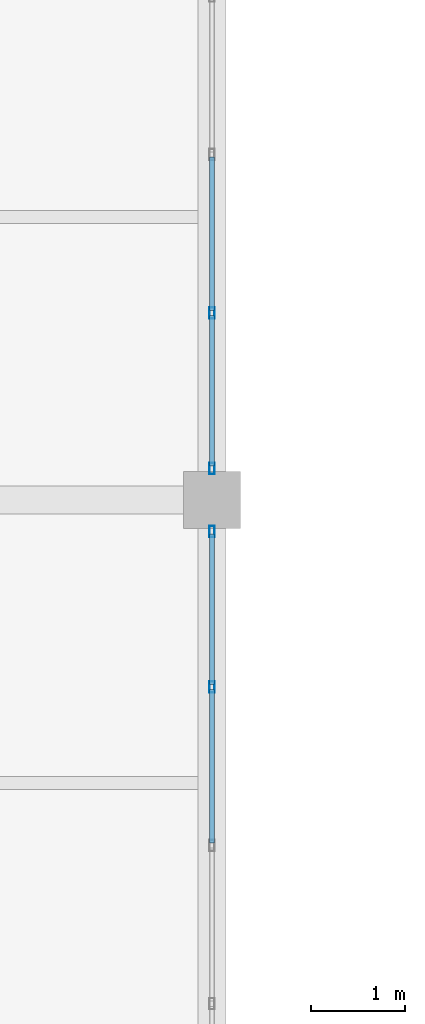
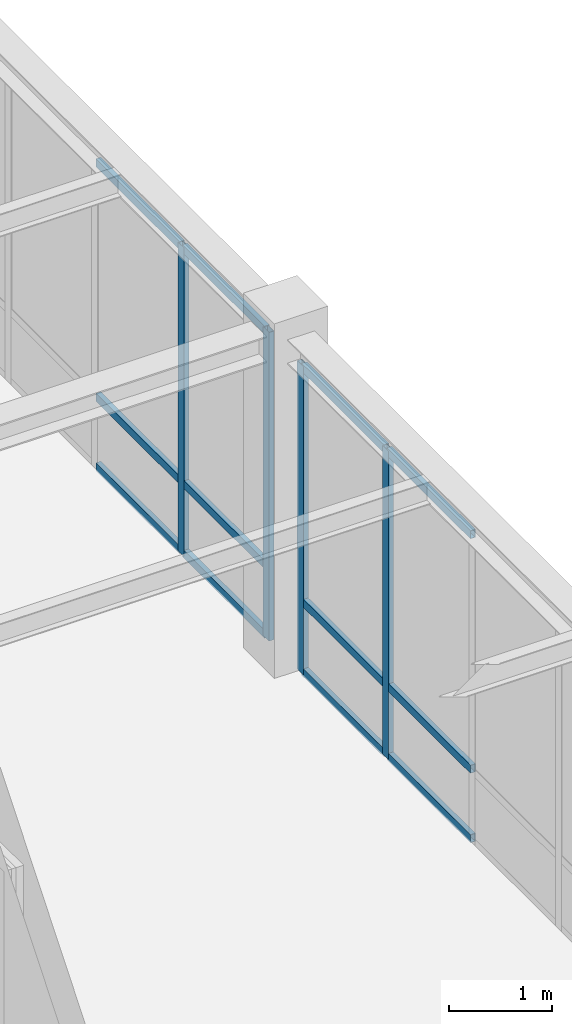
# One storey, part 48 of 130: 16 members, 2 elements without a shape of their own.
"""IFC4 building model written with IfcOpenShell, lengths in metres."""

from ifc_helpers import new_model, si_unit, direction, frame, origin, origin_2d, place, context, subcontext, project, spatial, hollow_rectangle, extrude, material, material_profile, profile_set, type_object, element, aggregate, save


model = new_model("IFC4")

# Units and contexts
model_context = context("Model", 3, precision=1e-05, world=origin(), true_north=direction((0.0, 1.0)))
body_context = subcontext(model_context, "Body", "Model", "MODEL_VIEW")
ifc_project = project(units=[si_unit("LENGTHUNIT", "METRE"), si_unit("AREAUNIT", "SQUARE_METRE"), si_unit("VOLUMEUNIT", "CUBIC_METRE"), si_unit("PLANEANGLEUNIT", "RADIAN"), si_unit("MASSUNIT", "GRAM", prefix="KILO")], contexts=[model_context])

# Site, building, storey
site_placement = place(None, origin())
site = spatial("IfcSite", under=ifc_project, at=site_placement, CompositionType="ELEMENT")
building_placement = place(site_placement, origin())
building = spatial("IfcBuilding", under=site, at=building_placement, Name="Lykobir Media Centre", CompositionType="ELEMENT")
storey_placement = place(building_placement, frame((0.0, 0.0, 19.199951171875)))
storey = spatial("IfcBuildingStorey", under=building, at=storey_placement, Name="L04", CompositionType="ELEMENT", Elevation=19.199951171875)

# Curtain wall, members
ifc_material = material(Name="Anodized Aluminium AW-6060", Category="aluminium")
curtain_wall_type = type_object("IfcCurtainWallType", Name="CW-COURT-B", PredefinedType="NOTDEFINED", material=ifc_material)
curtain_wall_1_placement = place(storey_placement, origin())
curtain_wall_1 = element("IfcCurtainWall", 1, at=curtain_wall_1_placement, inside=storey, type_object=curtain_wall_type, Name="Curtain wall CW2-L04-0172", PredefinedType="NOTDEFINED")
ifc_material_profile_1 = material_profile(ifc_material, hollow_rectangle(XDim=0.054931640625, YDim=0.1201171875, WallThickness=0.003173828125, at=origin_2d()), Name="ALU MULLION 55x120")
ifc_profile_set_1 = profile_set([ifc_material_profile_1], Name="Anodized Aluminium AW-6060")
member_type_1 = type_object("IfcMemberType", Name="CWM-120", PredefinedType="MULLION", material=ifc_profile_set_1)
member_1_placement = place(storey_placement, frame((99.0, 26.66748046875, 0.0), z_axis=(0.0, 0.0, 1.0), x_axis=(1.0, 0.0, 0.0)))
member_1 = element("IfcMember", 2, at=member_1_placement, type_object=member_type_1, Name="CW2-L04-0172 mullion 1", PredefinedType="MULLION", context=body_context, shape_type="SweptSolid", body=[
    extrude(hollow_rectangle(XDim=0.054931640625, YDim=0.1201171875, WallThickness=0.003173828125, at=origin_2d()), origin(), (0.0, 0.0, 1.0), 3.655029296875),
])
member_2_placement = place(storey_placement, frame((99.0, 25.01708984375, 0.0), z_axis=(0.0, 0.0, 1.0), x_axis=(1.0, 0.0, 0.0)))
member_2 = element("IfcMember", 3, at=member_2_placement, type_object=member_type_1, Name="CW2-L04-0172 mullion 2", PredefinedType="MULLION", context=body_context, shape_type="SweptSolid", body=[
    extrude(hollow_rectangle(XDim=0.054931640625, YDim=0.1201171875, WallThickness=0.003173828125, at=origin_2d()), origin(), (0.0, 0.0, 1.0), 3.655029296875),
])

curtain_wall_2_placement = place(storey_placement, origin())
curtain_wall_2 = element("IfcCurtainWall", 4, at=curtain_wall_2_placement, inside=storey, type_object=curtain_wall_type, Name="Curtain wall CW2-L04-0173", PredefinedType="NOTDEFINED")
member_3_placement = place(storey_placement, frame((99.0, 28.98291015625, 0.0), z_axis=(0.0, 0.0, 1.0), x_axis=(1.0, 0.0, 0.0)))
member_3 = element("IfcMember", 5, at=member_3_placement, type_object=member_type_1, Name="CW2-L04-0173 mullion 5", PredefinedType="MULLION", context=body_context, shape_type="SweptSolid", body=[
    extrude(hollow_rectangle(XDim=0.054931640625, YDim=0.1201171875, WallThickness=0.003173828125, at=origin_2d()), origin(), (0.0, 0.0, 1.0), 3.655029296875),
])
member_4_placement = place(storey_placement, frame((99.0, 27.33251953125, 0.0), z_axis=(0.0, 0.0, 1.0), x_axis=(1.0, 0.0, 0.0)))
member_4 = element("IfcMember", 6, at=member_4_placement, type_object=member_type_1, Name="CW2-L04-0173 mullion 6", PredefinedType="MULLION", context=body_context, shape_type="SweptSolid", body=[
    extrude(hollow_rectangle(XDim=0.054931640625, YDim=0.1201171875, WallThickness=0.003173828125, at=origin_2d()), origin(), (0.0, 0.0, 1.0), 3.655029296875),
])

# Member
ifc_material_profile_2 = material_profile(ifc_material, hollow_rectangle(XDim=0.054931640625, YDim=0.094970703125, WallThickness=0.0029296875, at=origin_2d()), Name="ALU TRANSOM 55x95")
ifc_profile_set_2 = profile_set([ifc_material_profile_2], Name="Anodized Aluminium AW-6060")
member_type_2 = type_object("IfcMemberType", Name="CWT-095", PredefinedType="USERDEFINED", material=ifc_profile_set_2)
member_5_placement = place(storey_placement, frame((99.0, 26.639892578125, 0.027587890625), z_axis=(0.0, -1.0, 0.0), x_axis=(1.0, 0.0, 0.0)))
member_5 = element("IfcMember", 7, at=member_5_placement, type_object=member_type_2, Name="CW2-L04-0172 transom 1.1", ObjectType="TRANSOM", PredefinedType="USERDEFINED", context=body_context, shape_type="SweptSolid", body=[
    extrude(hollow_rectangle(XDim=0.054931640625, YDim=0.094970703125, WallThickness=0.0029296875, at=origin_2d()), origin(), (0.0, 0.0, 1.0), 1.595458984375),
])

member_6_placement = place(storey_placement, frame((99.0, 26.639892578125, 0.85009765625), z_axis=(0.0, -1.0, 0.0), x_axis=(1.0, 0.0, 0.0)))
member_6 = element("IfcMember", 8, at=member_6_placement, type_object=member_type_2, Name="CW2-L04-0172 transom 1.2", ObjectType="TRANSOM", PredefinedType="USERDEFINED", context=body_context, shape_type="SweptSolid", body=[
    extrude(hollow_rectangle(XDim=0.054931640625, YDim=0.094970703125, WallThickness=0.0029296875, at=origin_2d()), origin(), (0.0, 0.0, 1.0), 1.595458984375),
])

member_7_placement = place(storey_placement, frame((99.0, 26.639892578125, 3.62744140625), z_axis=(0.0, -1.0, 0.0), x_axis=(1.0, 0.0, 0.0)))
member_7 = element("IfcMember", 9, at=member_7_placement, type_object=member_type_2, Name="CW2-L04-0172 transom 1.3", ObjectType="TRANSOM", PredefinedType="USERDEFINED", context=body_context, shape_type="SweptSolid", body=[
    extrude(hollow_rectangle(XDim=0.054931640625, YDim=0.094970703125, WallThickness=0.0029296875, at=origin_2d()), origin(), (0.0, 0.0, 1.0), 1.595458984375),
])

member_8_placement = place(storey_placement, frame((99.0, 24.989501953125, 0.027587890625), z_axis=(0.0, -1.0, 0.0), x_axis=(1.0, 0.0, 0.0)))
member_8 = element("IfcMember", 10, at=member_8_placement, type_object=member_type_2, Name="CW2-L04-0172 transom 2.1", ObjectType="TRANSOM", PredefinedType="USERDEFINED", context=body_context, shape_type="SweptSolid", body=[
    extrude(hollow_rectangle(XDim=0.054931640625, YDim=0.094970703125, WallThickness=0.0029296875, at=origin_2d()), origin(), (0.0, 0.0, 1.0), 1.623046875),
])

member_9_placement = place(storey_placement, frame((99.0, 24.989501953125, 0.85009765625), z_axis=(0.0, -1.0, 0.0), x_axis=(1.0, 0.0, 0.0)))
member_9 = element("IfcMember", 11, at=member_9_placement, type_object=member_type_2, Name="CW2-L04-0172 transom 2.2", ObjectType="TRANSOM", PredefinedType="USERDEFINED", context=body_context, shape_type="SweptSolid", body=[
    extrude(hollow_rectangle(XDim=0.054931640625, YDim=0.094970703125, WallThickness=0.0029296875, at=origin_2d()), origin(), (0.0, 0.0, 1.0), 1.623046875),
])

member_10_placement = place(storey_placement, frame((99.0, 24.989501953125, 3.62744140625), z_axis=(0.0, -1.0, 0.0), x_axis=(1.0, 0.0, 0.0)))
member_10 = element("IfcMember", 12, at=member_10_placement, type_object=member_type_2, Name="CW2-L04-0172 transom 2.3", ObjectType="TRANSOM", PredefinedType="USERDEFINED", context=body_context, shape_type="SweptSolid", body=[
    extrude(hollow_rectangle(XDim=0.054931640625, YDim=0.094970703125, WallThickness=0.0029296875, at=origin_2d()), origin(), (0.0, 0.0, 1.0), 1.623046875),
])

aggregate(curtain_wall_1, [member_1, member_2, member_5, member_6, member_7, member_8, member_9, member_10])

member_11_placement = place(storey_placement, frame((99.0, 30.633544921875, 0.027587890625), z_axis=(0.0, -1.0, 0.0), x_axis=(1.0, 0.0, 0.0)))
member_11 = element("IfcMember", 13, at=member_11_placement, type_object=member_type_2, Name="CW2-L04-0173 transom 4.1", ObjectType="TRANSOM", PredefinedType="USERDEFINED", context=body_context, shape_type="SweptSolid", body=[
    extrude(hollow_rectangle(XDim=0.054931640625, YDim=0.094970703125, WallThickness=0.0029296875, at=origin_2d()), origin(), (0.0, 0.0, 1.0), 1.623046875),
])

member_12_placement = place(storey_placement, frame((99.0, 30.633544921875, 0.85009765625), z_axis=(0.0, -1.0, 0.0), x_axis=(1.0, 0.0, 0.0)))
member_12 = element("IfcMember", 14, at=member_12_placement, type_object=member_type_2, Name="CW2-L04-0173 transom 4.2", ObjectType="TRANSOM", PredefinedType="USERDEFINED", context=body_context, shape_type="SweptSolid", body=[
    extrude(hollow_rectangle(XDim=0.054931640625, YDim=0.094970703125, WallThickness=0.0029296875, at=origin_2d()), origin(), (0.0, 0.0, 1.0), 1.623046875),
])

member_13_placement = place(storey_placement, frame((99.0, 30.633544921875, 3.62744140625), z_axis=(0.0, -1.0, 0.0), x_axis=(1.0, 0.0, 0.0)))
member_13 = element("IfcMember", 15, at=member_13_placement, type_object=member_type_2, Name="CW2-L04-0173 transom 4.3", ObjectType="TRANSOM", PredefinedType="USERDEFINED", context=body_context, shape_type="SweptSolid", body=[
    extrude(hollow_rectangle(XDim=0.054931640625, YDim=0.094970703125, WallThickness=0.0029296875, at=origin_2d()), origin(), (0.0, 0.0, 1.0), 1.623046875),
])

member_14_placement = place(storey_placement, frame((99.0, 28.95556640625, 0.027587890625), z_axis=(0.0, -1.0, 0.0), x_axis=(1.0, 0.0, 0.0)))
member_14 = element("IfcMember", 16, at=member_14_placement, type_object=member_type_2, Name="CW2-L04-0173 transom 5.1", ObjectType="TRANSOM", PredefinedType="USERDEFINED", context=body_context, shape_type="SweptSolid", body=[
    extrude(hollow_rectangle(XDim=0.054931640625, YDim=0.094970703125, WallThickness=0.0029296875, at=origin_2d()), origin(), (0.0, 0.0, 1.0), 1.595458984375),
])

member_15_placement = place(storey_placement, frame((99.0, 28.95556640625, 0.85009765625), z_axis=(0.0, -1.0, 0.0), x_axis=(1.0, 0.0, 0.0)))
member_15 = element("IfcMember", 17, at=member_15_placement, type_object=member_type_2, Name="CW2-L04-0173 transom 5.2", ObjectType="TRANSOM", PredefinedType="USERDEFINED", context=body_context, shape_type="SweptSolid", body=[
    extrude(hollow_rectangle(XDim=0.054931640625, YDim=0.094970703125, WallThickness=0.0029296875, at=origin_2d()), origin(), (0.0, 0.0, 1.0), 1.595458984375),
])

member_16_placement = place(storey_placement, frame((99.0, 28.95556640625, 3.62744140625), z_axis=(0.0, -1.0, 0.0), x_axis=(1.0, 0.0, 0.0)))
member_16 = element("IfcMember", 18, at=member_16_placement, type_object=member_type_2, Name="CW2-L04-0173 transom 5.3", ObjectType="TRANSOM", PredefinedType="USERDEFINED", context=body_context, shape_type="SweptSolid", body=[
    extrude(hollow_rectangle(XDim=0.054931640625, YDim=0.094970703125, WallThickness=0.0029296875, at=origin_2d()), origin(), (0.0, 0.0, 1.0), 1.595458984375),
])

aggregate(curtain_wall_2, [member_3, member_4, member_11, member_12, member_13, member_14, member_15, member_16])

save(model, "model.ifc")
